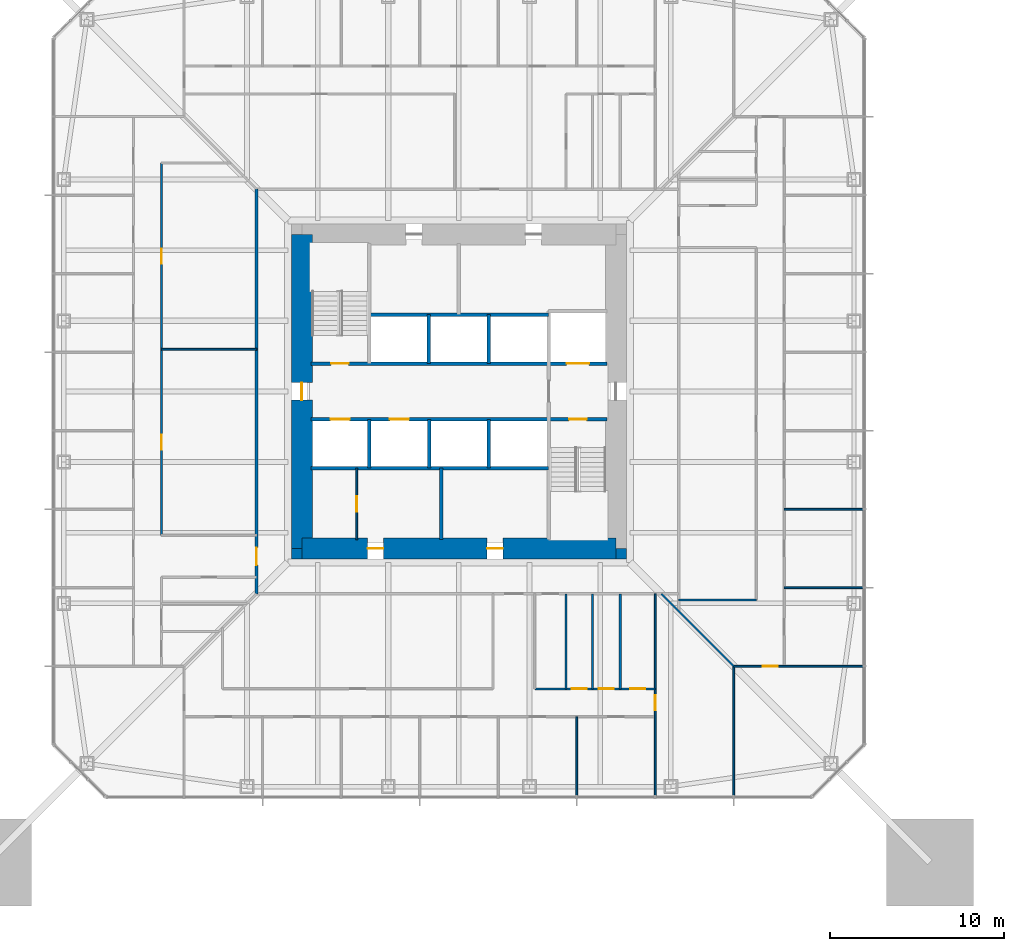
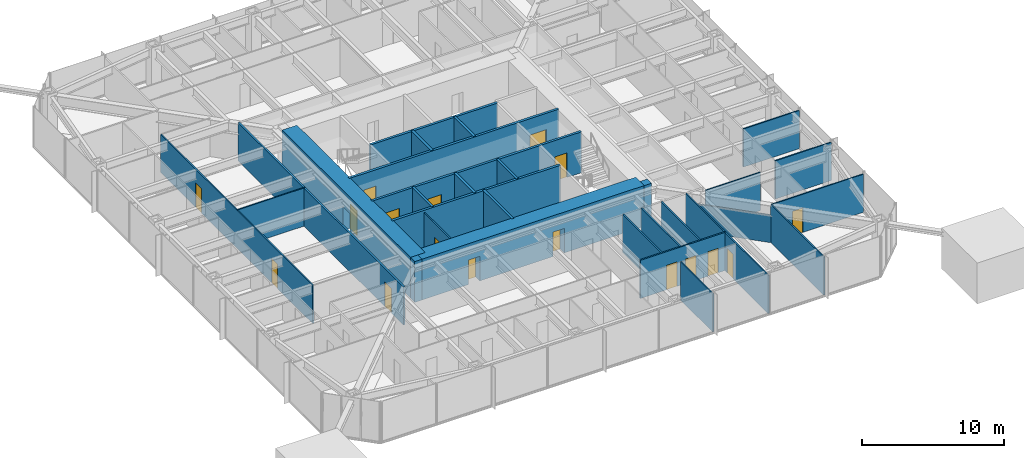
# One storey, part 15 of 26: 30 walls, 17 doors, 17 openings.
"""IFC4 building model written with IfcOpenShell, lengths in metres."""

from ifc_helpers import new_model, si_unit, direction, frame, frame_2d, origin, place, context, subcontext, project, spatial, rectangle, extrude, material, layer, layer_set, type_object, element, fill, save


model = new_model("IFC4")

# Units and contexts
model_context = context("Model", 3, precision=1e-05, world=origin(), true_north=direction((0.0, 1.0)))
body_context = subcontext(model_context, "Body", "Model", "MODEL_VIEW")
ifc_project = project(units=[si_unit("LENGTHUNIT", "METRE"), si_unit("AREAUNIT", "SQUARE_METRE"), si_unit("VOLUMEUNIT", "CUBIC_METRE"), si_unit("PLANEANGLEUNIT", "RADIAN"), si_unit("MASSUNIT", "GRAM", prefix="KILO")], contexts=[model_context])

# Site, building, storey
site_placement = place(None, origin())
site = spatial("IfcSite", under=ifc_project, at=site_placement, CompositionType="ELEMENT")
building_placement = place(site_placement, origin())
building = spatial("IfcBuilding", under=site, at=building_placement, Name="Iwan Alto Co-Living Towers", CompositionType="ELEMENT")
storey_placement = place(building_placement, frame((0.0, 0.0, 32.5)))
storey = spatial("IfcBuildingStorey", under=building, at=storey_placement, Name="L08", CompositionType="ELEMENT", Elevation=32.5)

# Wall, opening, door
ifc_material_1 = material(Name="Gypsum board")
ifc_layer_1 = layer(ifc_material_1, 0.02490234375, Name="Board", Category="Finish")
ifc_material_2 = material(Name="Steel ASTM A1003 ST33H cold-formed studs", Category="steel")
ifc_layer_2 = layer(ifc_material_2, 0.10009765625, Name="Studs", Category="Framing")
ifc_layer_3 = layer(ifc_material_1, 0.02490234375, Name="Board", Category="Finish")
ifc_layer_set_1 = layer_set([ifc_layer_1, ifc_layer_2, ifc_layer_3], Name="CORRIDOR WALL 150")
wall_type_1 = type_object("IfcWallType", Name="CORRIDOR WALL 150", PredefinedType="PARTITIONING", material=ifc_layer_set_1)
wall_1_placement = place(storey_placement, frame((-11.60009765625, -11.60009765625, 0.0), z_axis=(0.0, 0.0, 1.0), x_axis=(0.0, 1.0, 0.0)))
wall_1 = element("IfcWall", 1, at=wall_1_placement, inside=storey, type_object=wall_type_1, Name="Partition L08", PredefinedType="PARTITIONING", context=body_context, shape_type="SweptSolid", body=[
    extrude(rectangle(XDim=23.2001953125, YDim=0.14990234375, at=frame_2d((11.60009765625, 0.0))), origin(), (0.0, 0.0, 1.0), 3.27001953125),
])
opening_1_placement = place(wall_1_placement, frame((1.64990234375, 0.0, 0.0)))
opening_1 = element("IfcOpeningElement", 2, at=opening_1_placement, cuts=wall_1, Name="Opening D3", PredefinedType="OPENING", context=body_context, shape_type="SweptSolid", body=[
    extrude(rectangle(XDim=1.0, YDim=2.10009765625, at=frame_2d((0.5, 1.050048828125))), frame((0.0, 0.0849609375, 0.0), z_axis=(0.0, -1.0, 0.0), x_axis=(1.0, 0.0, 0.0)), (0.0, 0.0, 1.0), 0.169921875),
])
ifc_material_3 = material(Name="Steel frame with timber leaf", Category="steel")
door_type_1 = type_object("IfcDoorType", Name="FLAT ENTRANCE DOOR FD30S 1000X2100", OperationType="SINGLE_SWING_LEFT", PredefinedType="DOOR", material=ifc_material_3)
door_1_placement = place(opening_1_placement, origin())
door_1 = element("IfcDoor", 3, at=door_1_placement, inside=storey, type_object=door_type_1, Name="Cluster lounge and shared kitchen door L08", OperationType="SINGLE_SWING_LEFT", OverallHeight=2.10009765625, OverallWidth=1.0, PredefinedType="DOOR", context=body_context, shape_type="SweptSolid", body=[
    extrude(rectangle(XDim=1.0, YDim=2.10009765625, at=frame_2d((0.5, 1.050048828125))), frame((0.0, 0.02490234375, 0.0), z_axis=(0.0, -1.0, 0.0), x_axis=(1.0, 0.0, 0.0)), (0.0, 0.0, 1.0), 0.050048828125),
])
fill(opening_1, door_1)

ifc_layer_4 = layer(ifc_material_1, 0.012451171875, Name="Board", Category="Finish")
ifc_layer_5 = layer(ifc_material_2, 0.074951171875, Name="Studs", Category="Framing")
ifc_layer_6 = layer(ifc_material_1, 0.012451171875, Name="Board", Category="Finish")
ifc_layer_set_2 = layer_set([ifc_layer_4, ifc_layer_5, ifc_layer_6], Name="PARTITION 100")
wall_type_2 = type_object("IfcWallType", Name="PARTITION 100", PredefinedType="PARTITIONING", material=ifc_layer_set_2)
wall_2_placement = place(storey_placement, frame((15.75, -15.75, 0.0), z_axis=(0.0, 0.0, 1.0), x_axis=(1.0, 0.0, 0.0)))
wall_2 = element("IfcWall", 4, at=wall_2_placement, inside=storey, type_object=wall_type_2, Name="Partition L08", PredefinedType="PARTITIONING", context=body_context, shape_type="SweptSolid", body=[
    extrude(rectangle(XDim=7.43994140625, YDim=0.10009765625, at=frame_2d((3.719970703125, 0.0))), origin(), (0.0, 0.0, 1.0), 3.27001953125),
])
opening_2_placement = place(wall_2_placement, frame((1.675048828125, 0.0, 0.0)))
opening_2 = element("IfcOpeningElement", 5, at=opening_2_placement, cuts=wall_2, Name="Opening D2", PredefinedType="OPENING", context=body_context, shape_type="SweptSolid", body=[
    extrude(rectangle(XDim=0.85009765625, YDim=2.10009765625, at=frame_2d((0.425048828125, 1.050048828125))), frame((0.0, 0.06005859375, 0.0), z_axis=(0.0, -1.0, 0.0), x_axis=(1.0, 0.0, 0.0)), (0.0, 0.0, 1.0), 0.1201171875),
])
ifc_material_4 = material(Name="Timber leaf in steel frame", Category="steel")
door_type_2 = type_object("IfcDoorType", Name="ROOM DOOR 850X2100", OperationType="SINGLE_SWING_LEFT", PredefinedType="DOOR", material=ifc_material_4)
door_2_placement = place(opening_2_placement, origin())
door_2 = element("IfcDoor", 6, at=door_2_placement, inside=storey, type_object=door_type_2, Name="Shared kitchen and lounge door L08", OperationType="SINGLE_SWING_RIGHT", OverallHeight=2.10009765625, OverallWidth=0.85009765625, PredefinedType="DOOR", context=body_context, shape_type="SweptSolid", body=[
    extrude(rectangle(XDim=0.85009765625, YDim=2.10009765625, at=frame_2d((0.425048828125, 1.050048828125))), frame((0.0, 0.02490234375, 0.0), z_axis=(0.0, -1.0, 0.0), x_axis=(1.0, 0.0, 0.0)), (0.0, 0.0, 1.0), 0.050048828125),
])
fill(opening_2, door_2)

# Walls
wall_3_placement = place(storey_placement, frame((12.60009765625, -11.949951171875, 0.0), z_axis=(0.0, 0.0, 1.0), x_axis=(1.0, 0.0, 0.0)))
element("IfcWall", 7, at=wall_3_placement, inside=storey, type_object=wall_type_2, Name="Partition L08", PredefinedType="PARTITIONING", context=body_context, shape_type="SweptSolid", body=[
    extrude(rectangle(XDim=4.449951171875, YDim=0.10009765625, at=frame_2d((2.22509765625, 0.0))), origin(), (0.0, 0.0, 1.0), 3.27001953125),
])
for number, where, z_axis, x_axis, name in (
    (8, (18.64990234375, -11.25, 0.0), (0.0, 0.0, 1.0), (1.0, 0.0, 0.0), "Partition L08"),
    (9, (18.64990234375, -6.75, 0.0), (0.0, 0.0, 1.0), (1.0, 0.0, 0.0), "Partition L08"),
):
    element("IfcWall", number, at=place(storey_placement, frame(where, z_axis=z_axis, x_axis=x_axis)), inside=storey, type_object=wall_type_2, Name=name, PredefinedType="PARTITIONING", context=body_context, shape_type="SweptSolid", body=[
        extrude(rectangle(XDim=4.5400390625, YDim=0.10009765625, at=frame_2d((2.27001953125, 0.0))), origin(), (0.0, 0.0, 1.0), 3.27001953125),
    ])
wall_4_placement = place(storey_placement, frame((-17.050048828125, 2.419921875, 0.0), z_axis=(0.0, 0.0, 1.0), x_axis=(1.0, 0.0, 0.0)))
element("IfcWall", 10, at=wall_4_placement, inside=storey, type_object=wall_type_2, Name="Partition L08", PredefinedType="PARTITIONING", context=body_context, shape_type="SweptSolid", body=[
    extrude(rectangle(XDim=5.449951171875, YDim=0.10009765625, at=frame_2d((2.72509765625, 0.0))), origin(), (0.0, 0.0, 1.0), 3.27001953125),
])
wall_5_placement = place(storey_placement, frame((15.75, -23.18994140625, 0.0), z_axis=(0.0, 0.0, 1.0), x_axis=(0.0, 1.0, 0.0)))
element("IfcWall", 11, at=wall_5_placement, inside=storey, type_object=wall_type_2, Name="Partition L08", PredefinedType="PARTITIONING", context=body_context, shape_type="SweptSolid", body=[
    extrude(rectangle(XDim=7.43994140625, YDim=0.10009765625, at=frame_2d((3.719970703125, 0.0))), origin(), (0.0, 0.0, 1.0), 3.27001953125),
])

# Wall, opening, door
wall_6_placement = place(storey_placement, frame((11.25, -23.18994140625, 0.0), z_axis=(0.0, 0.0, 1.0), x_axis=(0.0, 1.0, 0.0)))
wall_6 = element("IfcWall", 12, at=wall_6_placement, inside=storey, type_object=wall_type_2, Name="Partition L08", PredefinedType="PARTITIONING", context=body_context, shape_type="SweptSolid", body=[
    extrude(rectangle(XDim=11.58984375, YDim=0.10009765625, at=frame_2d((5.794921875, 0.0))), origin(), (0.0, 0.0, 1.0), 3.27001953125),
])
opening_3_placement = place(wall_6_placement, frame((4.9150390625, 0.0, 0.0)))
opening_3 = element("IfcOpeningElement", 13, at=opening_3_placement, cuts=wall_6, Name="Opening D2", PredefinedType="OPENING", context=body_context, shape_type="SweptSolid", body=[
    extrude(rectangle(XDim=0.85009765625, YDim=2.10009765625, at=frame_2d((0.425048828125, 1.050048828125))), frame((0.0, 0.06005859375, 0.0), z_axis=(0.0, -1.0, 0.0), x_axis=(1.0, 0.0, 0.0)), (0.0, 0.0, 1.0), 0.1201171875),
])
door_3_placement = place(opening_3_placement, origin())
door_3 = element("IfcDoor", 14, at=door_3_placement, inside=storey, type_object=door_type_2, Name="Seminar room door L08", OperationType="SINGLE_SWING_LEFT", OverallHeight=2.10009765625, OverallWidth=0.85009765625, PredefinedType="DOOR", context=body_context, shape_type="SweptSolid", body=[
    extrude(rectangle(XDim=0.85009765625, YDim=2.10009765625, at=frame_2d((0.425048828125, 1.050048828125))), frame((0.0, 0.02490234375, 0.0), z_axis=(0.0, -1.0, 0.0), x_axis=(1.0, 0.0, 0.0)), (0.0, 0.0, 1.0), 0.050048828125),
])
fill(opening_3, door_3)

# Wall
wall_7_placement = place(storey_placement, frame((6.75, -23.18994140625, 0.0), z_axis=(0.0, 0.0, 1.0), x_axis=(0.0, 1.0, 0.0)))
element("IfcWall", 15, at=wall_7_placement, inside=storey, type_object=wall_type_2, Name="Partition L08", PredefinedType="PARTITIONING", context=body_context, shape_type="SweptSolid", body=[
    extrude(rectangle(XDim=4.5400390625, YDim=0.10009765625, at=frame_2d((2.27001953125, 0.0))), origin(), (0.0, 0.0, 1.0), 3.27001953125),
])

# Wall, opening, door
wall_8_placement = place(storey_placement, frame((-5.85009765625, -8.489990234375, 0.0), z_axis=(0.0, 0.0, 1.0), x_axis=(0.0, 1.0, 0.0)))
wall_8 = element("IfcWall", 16, at=wall_8_placement, inside=storey, type_object=wall_type_2, Name="Partition L08", PredefinedType="PARTITIONING", context=body_context, shape_type="SweptSolid", body=[
    extrude(rectangle(XDim=4.090087890625, YDim=0.10009765625, at=frame_2d((2.044921875, 0.0))), origin(), (0.0, 0.0, 1.0), 3.300048828125),
])
opening_4_placement = place(wall_8_placement, frame((1.594970703125, 0.0, 0.0)))
opening_4 = element("IfcOpeningElement", 17, at=opening_4_placement, cuts=wall_8, Name="Opening D16", PredefinedType="OPENING", context=body_context, shape_type="SweptSolid", body=[
    extrude(rectangle(XDim=0.89990234375, YDim=2.10009765625, at=frame_2d((0.449951171875, 1.050048828125))), frame((0.0, 0.06005859375, 0.0), z_axis=(0.0, -1.0, 0.0), x_axis=(1.0, 0.0, 0.0)), (0.0, 0.0, 1.0), 0.1201171875),
])
ifc_material_5 = material(Name="Timber leaf in steel frame", Category="steel")
door_type_3 = type_object("IfcDoorType", Name="CUPBOARD SLIDING DOOR 900X2100", OperationType="SLIDING_TO_LEFT", PredefinedType="DOOR", material=ifc_material_5)
door_4_placement = place(opening_4_placement, origin())
door_4 = element("IfcDoor", 18, at=door_4_placement, inside=storey, type_object=door_type_3, Name="Cleaner's store door L08", OperationType="SLIDING_TO_LEFT", OverallHeight=2.10009765625, OverallWidth=0.89990234375, PredefinedType="DOOR", context=body_context, shape_type="SweptSolid", body=[
    extrude(rectangle(XDim=0.89990234375, YDim=2.10009765625, at=frame_2d((0.449951171875, 1.050048828125))), frame((0.0, 0.02490234375, 0.0), z_axis=(0.0, -1.0, 0.0), x_axis=(1.0, 0.0, 0.0)), (0.0, 0.0, 1.0), 0.050048828125),
])
fill(opening_4, door_4)

# Wall, openings, doors
wall_9_placement = place(storey_placement, frame((-17.050048828125, -8.25, 0.0), z_axis=(0.0, 0.0, 1.0), x_axis=(0.0, 1.0, 0.0)))
wall_9 = element("IfcWall", 19, at=wall_9_placement, inside=storey, type_object=wall_type_2, Name="Partition L08", PredefinedType="PARTITIONING", context=body_context, shape_type="SweptSolid", body=[
    extrude(rectangle(XDim=21.340087890625, YDim=0.10009765625, at=frame_2d((10.669921875, 0.0))), origin(), (0.0, 0.0, 1.0), 3.27001953125),
])
opening_5_placement = place(wall_9_placement, frame((15.580078125, 0.0, 0.0)))
opening_5 = element("IfcOpeningElement", 20, at=opening_5_placement, cuts=wall_9, Name="Opening D2", PredefinedType="OPENING", context=body_context, shape_type="SweptSolid", body=[
    extrude(rectangle(XDim=0.85009765625, YDim=2.10009765625, at=frame_2d((0.425048828125, 1.050048828125))), frame((0.0, 0.06005859375, 0.0), z_axis=(0.0, -1.0, 0.0), x_axis=(1.0, 0.0, 0.0)), (0.0, 0.0, 1.0), 0.1201171875),
])
opening_6_placement = place(wall_9_placement, frame((4.909912109375, 0.0, 0.0)))
opening_6 = element("IfcOpeningElement", 21, at=opening_6_placement, cuts=wall_9, Name="Opening D2", PredefinedType="OPENING", context=body_context, shape_type="SweptSolid", body=[
    extrude(rectangle(XDim=0.85009765625, YDim=2.10009765625, at=frame_2d((0.425048828125, 1.050048828125))), frame((0.0, 0.06005859375, 0.0), z_axis=(0.0, -1.0, 0.0), x_axis=(1.0, 0.0, 0.0)), (0.0, 0.0, 1.0), 0.1201171875),
])
door_5_placement = place(opening_5_placement, origin())
door_5 = element("IfcDoor", 22, at=door_5_placement, inside=storey, type_object=door_type_2, Name="Study lounge door L08", OperationType="SINGLE_SWING_RIGHT", OverallHeight=2.10009765625, OverallWidth=0.85009765625, PredefinedType="DOOR", context=body_context, shape_type="SweptSolid", body=[
    extrude(rectangle(XDim=0.85009765625, YDim=2.10009765625, at=frame_2d((0.425048828125, 1.050048828125))), frame((0.0, 0.02490234375, 0.0), z_axis=(0.0, -1.0, 0.0), x_axis=(1.0, 0.0, 0.0)), (0.0, 0.0, 1.0), 0.050048828125),
])
fill(opening_5, door_5)
door_6_placement = place(opening_6_placement, origin())
door_6 = element("IfcDoor", 23, at=door_6_placement, inside=storey, type_object=door_type_2, Name="Study lounge door L08", OperationType="SINGLE_SWING_LEFT", OverallHeight=2.10009765625, OverallWidth=0.85009765625, PredefinedType="DOOR", context=body_context, shape_type="SweptSolid", body=[
    extrude(rectangle(XDim=0.85009765625, YDim=2.10009765625, at=frame_2d((0.425048828125, 1.050048828125))), frame((0.0, 0.02490234375, 0.0), z_axis=(0.0, -1.0, 0.0), x_axis=(1.0, 0.0, 0.0)), (0.0, 0.0, 1.0), 0.050048828125),
])
fill(opening_6, door_6)

# Walls
wall_10_placement = place(storey_placement, frame((15.75, -15.75, 0.0), z_axis=(0.0, 0.0, 1.0), x_axis=(-0.707106781187, 0.707106781187, 0.0)))
element("IfcWall", 24, at=wall_10_placement, inside=storey, type_object=wall_type_2, Name="Partition L08", PredefinedType="PARTITIONING", context=body_context, shape_type="SweptSolid", body=[
    extrude(rectangle(XDim=5.868896484375, YDim=0.10009765625, at=frame_2d((2.9345703125, 0.0))), origin(), (0.0, 0.0, 1.0), 2.343017578125),
])
ifc_material_6 = material(Name="Concrete f'c 70 MPa", Category="concrete")
ifc_layer_7 = layer(ifc_material_6, 0.199951171875)
ifc_layer_set_3 = layer_set([ifc_layer_7], Name="SHAFT WALL 200")
wall_type_3 = type_object("IfcWallType", Name="SHAFT WALL 200", PredefinedType="SOLIDWALL", material=ifc_layer_set_3)
wall_11_placement = place(storey_placement, frame((-8.489990234375, -4.39990234375, 0.0), z_axis=(0.0, 0.0, 1.0), x_axis=(1.0, 0.0, 0.0)))
element("IfcWall", 25, at=wall_11_placement, inside=storey, type_object=wall_type_3, Name="Shaft wall L08", PredefinedType="SOLIDWALL", context=body_context, shape_type="SweptSolid", body=[
    extrude(rectangle(XDim=13.639892578125, YDim=0.199951171875, at=frame_2d((6.81982421875, 0.0))), origin(), (0.0, 0.0, 1.0), 3.5),
])

# Wall, openings, doors
wall_12_placement = place(storey_placement, frame((-8.489990234375, -1.60009765625, 0.0), z_axis=(0.0, 0.0, 1.0), x_axis=(1.0, 0.0, 0.0)))
wall_12 = element("IfcWall", 26, at=wall_12_placement, inside=storey, type_object=wall_type_3, Name="Shaft wall L08", PredefinedType="SOLIDWALL", context=body_context, shape_type="SweptSolid", body=[
    extrude(rectangle(XDim=16.97998046875, YDim=0.199951171875, at=frame_2d((8.489990234375, 0.0))), origin(), (0.0, 0.0, 1.0), 3.5),
])
opening_7_placement = place(wall_12_placement, frame((14.81005859375, 0.0, 0.0)))
opening_7 = element("IfcOpeningElement", 27, at=opening_7_placement, cuts=wall_12, Name="Opening D5", PredefinedType="OPENING", context=body_context, shape_type="SweptSolid", body=[
    extrude(rectangle(XDim=1.0, YDim=2.10009765625, at=frame_2d((0.5, 1.050048828125))), frame((0.0, 0.10986328125, 0.0), z_axis=(0.0, -1.0, 0.0), x_axis=(1.0, 0.0, 0.0)), (0.0, 0.0, 1.0), 0.219970703125),
])
opening_8_placement = place(wall_12_placement, frame((1.133056640625, 0.0, 0.0)))
opening_8 = element("IfcOpeningElement", 28, at=opening_8_placement, cuts=wall_12, Name="Opening LD", PredefinedType="OPENING", context=body_context, shape_type="SweptSolid", body=[
    extrude(rectangle(XDim=1.10009765625, YDim=2.10009765625, at=frame_2d((0.550048828125, 1.050048828125))), frame((0.0, 0.10986328125, 0.0), z_axis=(0.0, -1.0, 0.0), x_axis=(1.0, 0.0, 0.0)), (0.0, 0.0, 1.0), 0.219970703125),
])
opening_9_placement = place(wall_12_placement, frame((4.528076171875, 0.0, 0.0)))
opening_9 = element("IfcOpeningElement", 29, at=opening_9_placement, cuts=wall_12, Name="Opening LD", PredefinedType="OPENING", context=body_context, shape_type="SweptSolid", body=[
    extrude(rectangle(XDim=1.10009765625, YDim=2.10009765625, at=frame_2d((0.550048828125, 1.050048828125))), frame((0.0, 0.10986328125, 0.0), z_axis=(0.0, -1.0, 0.0), x_axis=(1.0, 0.0, 0.0)), (0.0, 0.0, 1.0), 0.219970703125),
])
ifc_material_7 = material(Name="Steel frame with timber leaf", Category="steel")
door_type_4 = type_object("IfcDoorType", Name="LIFT LANDING DOOR 1100X2100", OperationType="DOUBLE_DOOR_SLIDING", PredefinedType="DOOR", material=ifc_material_7)
door_7_placement = place(opening_8_placement, origin())
door_7 = element("IfcDoor", 30, at=door_7_placement, inside=storey, type_object=door_type_4, Name="Lift P1-1 landing door L08", OperationType="DOUBLE_DOOR_SLIDING", OverallHeight=2.10009765625, OverallWidth=1.10009765625, PredefinedType="DOOR", context=body_context, shape_type="SweptSolid", body=[
    extrude(rectangle(XDim=1.10009765625, YDim=2.10009765625, at=frame_2d((0.550048828125, 1.050048828125))), frame((0.0, 0.02490234375, 0.0), z_axis=(0.0, -1.0, 0.0), x_axis=(1.0, 0.0, 0.0)), (0.0, 0.0, 1.0), 0.050048828125),
])
fill(opening_8, door_7)
door_8_placement = place(opening_9_placement, origin())
door_8 = element("IfcDoor", 31, at=door_8_placement, inside=storey, type_object=door_type_4, Name="Lift P1-2 landing door L08", OperationType="DOUBLE_DOOR_SLIDING", OverallHeight=2.10009765625, OverallWidth=1.10009765625, PredefinedType="DOOR", context=body_context, shape_type="SweptSolid", body=[
    extrude(rectangle(XDim=1.10009765625, YDim=2.10009765625, at=frame_2d((0.550048828125, 1.050048828125))), frame((0.0, 0.02490234375, 0.0), z_axis=(0.0, -1.0, 0.0), x_axis=(1.0, 0.0, 0.0)), (0.0, 0.0, 1.0), 0.050048828125),
])
fill(opening_9, door_8)
ifc_material_8 = material(Name="Steel frame with timber leaf", Category="steel")
door_type_5 = type_object("IfcDoorType", Name="STAIR DOOR FD120S 1000X2100", OperationType="SINGLE_SWING_LEFT", PredefinedType="DOOR", material=ifc_material_8)
door_9_placement = place(opening_7_placement, frame((1.0, 0.0, 0.0), z_axis=(0.0, 0.0, 1.0), x_axis=(-1.0, 0.0, 0.0)))
door_9 = element("IfcDoor", 32, at=door_9_placement, inside=storey, type_object=door_type_5, Name="Stair S2 door L08", OperationType="SINGLE_SWING_RIGHT", OverallHeight=2.10009765625, OverallWidth=1.0, PredefinedType="DOOR", context=body_context, shape_type="SweptSolid", body=[
    extrude(rectangle(XDim=1.0, YDim=2.10009765625, at=frame_2d((0.5, 1.050048828125))), frame((0.0, 0.02490234375, 0.0), z_axis=(0.0, -1.0, 0.0), x_axis=(1.0, 0.0, 0.0)), (0.0, 0.0, 1.0), 0.050048828125),
])
fill(opening_7, door_9)

wall_13_placement = place(storey_placement, frame((-8.489990234375, 1.60009765625, 0.0), z_axis=(0.0, 0.0, 1.0), x_axis=(1.0, 0.0, 0.0)))
wall_13 = element("IfcWall", 33, at=wall_13_placement, inside=storey, type_object=wall_type_3, Name="Shaft wall L08", PredefinedType="SOLIDWALL", context=body_context, shape_type="SweptSolid", body=[
    extrude(rectangle(XDim=16.97998046875, YDim=0.199951171875, at=frame_2d((8.489990234375, 0.0))), origin(), (0.0, 0.0, 1.0), 3.5),
])
opening_10_placement = place(wall_13_placement, frame((1.169921875, 0.0, 0.0)))
opening_10 = element("IfcOpeningElement", 34, at=opening_10_placement, cuts=wall_13, Name="Opening D5", PredefinedType="OPENING", context=body_context, shape_type="SweptSolid", body=[
    extrude(rectangle(XDim=1.0, YDim=2.10009765625, at=frame_2d((0.5, 1.050048828125))), frame((0.0, 0.10986328125, 0.0), z_axis=(0.0, -1.0, 0.0), x_axis=(1.0, 0.0, 0.0)), (0.0, 0.0, 1.0), 0.219970703125),
])
opening_11_placement = place(wall_13_placement, frame((14.659912109375, 0.0, 0.0)))
opening_11 = element("IfcOpeningElement", 35, at=opening_11_placement, cuts=wall_13, Name="Opening LD2", PredefinedType="OPENING", context=body_context, shape_type="SweptSolid", body=[
    extrude(rectangle(XDim=1.300048828125, YDim=2.10009765625, at=frame_2d((0.64990234375, 1.050048828125))), frame((0.0, 0.10986328125, 0.0), z_axis=(0.0, -1.0, 0.0), x_axis=(1.0, 0.0, 0.0)), (0.0, 0.0, 1.0), 0.219970703125),
])
ifc_material_9 = material(Name="Steel frame with timber leaf", Category="steel")
door_type_6 = type_object("IfcDoorType", Name="LIFT LANDING DOOR 1300X2100", OperationType="SLIDING_TO_LEFT", PredefinedType="DOOR", material=ifc_material_9)
door_10_placement = place(opening_11_placement, origin())
door_10 = element("IfcDoor", 36, at=door_10_placement, inside=storey, type_object=door_type_6, Name="Lift FL1 landing door L08", OperationType="SLIDING_TO_LEFT", OverallHeight=2.10009765625, OverallWidth=1.300048828125, PredefinedType="DOOR", context=body_context, shape_type="SweptSolid", body=[
    extrude(rectangle(XDim=1.300048828125, YDim=2.10009765625, at=frame_2d((0.64990234375, 1.050048828125))), frame((0.0, 0.02490234375, 0.0), z_axis=(0.0, -1.0, 0.0), x_axis=(1.0, 0.0, 0.0)), (0.0, 0.0, 1.0), 0.050048828125),
])
fill(opening_11, door_10)
door_11_placement = place(opening_10_placement, origin())
door_11 = element("IfcDoor", 37, at=door_11_placement, inside=storey, type_object=door_type_5, Name="Stair S1 door L08", OperationType="SINGLE_SWING_RIGHT", OverallHeight=2.10009765625, OverallWidth=1.0, PredefinedType="DOOR", context=body_context, shape_type="SweptSolid", body=[
    extrude(rectangle(XDim=1.0, YDim=2.10009765625, at=frame_2d((0.5, 1.050048828125))), frame((0.0, 0.02490234375, 0.0), z_axis=(0.0, -1.0, 0.0), x_axis=(1.0, 0.0, 0.0)), (0.0, 0.0, 1.0), 0.050048828125),
])
fill(opening_10, door_11)

# Walls
wall_14_placement = place(storey_placement, frame((-5.14990234375, 4.39990234375, 0.0), z_axis=(0.0, 0.0, 1.0), x_axis=(1.0, 0.0, 0.0)))
element("IfcWall", 38, at=wall_14_placement, inside=storey, type_object=wall_type_3, Name="Shaft wall L08", PredefinedType="SOLIDWALL", context=body_context, shape_type="SweptSolid", body=[
    extrude(rectangle(XDim=10.2998046875, YDim=0.199951171875, at=frame_2d((5.14990234375, 0.0))), origin(), (0.0, 0.0, 1.0), 3.5),
])
for number, where, z_axis, x_axis, name in (
    (39, (1.72509765625, -4.39990234375, 0.0), (0.0, 0.0, 1.0), (0.0, 1.0, 0.0), "Shaft wall L08"),
    (40, (1.717041015625, 1.60009765625, 0.0), (0.0, 0.0, 1.0), (0.0, 1.0, 0.0), "Shaft wall L08"),
):
    element("IfcWall", number, at=place(storey_placement, frame(where, z_axis=z_axis, x_axis=x_axis)), inside=storey, type_object=wall_type_3, Name=name, PredefinedType="SOLIDWALL", context=body_context, shape_type="SweptSolid", body=[
        extrude(rectangle(XDim=2.7998046875, YDim=0.199951171875, at=frame_2d((1.39990234375, 0.0))), origin(), (0.0, 0.0, 1.0), 3.5),
    ])
wall_15_placement = place(storey_placement, frame((-1.0, -8.489990234375, 0.0), z_axis=(0.0, 0.0, 1.0), x_axis=(0.0, 1.0, 0.0)))
element("IfcWall", 41, at=wall_15_placement, inside=storey, type_object=wall_type_3, Name="Shaft wall L08", PredefinedType="SOLIDWALL", context=body_context, shape_type="SweptSolid", body=[
    extrude(rectangle(XDim=4.090087890625, YDim=0.199951171875, at=frame_2d((2.044921875, 0.0))), origin(), (0.0, 0.0, 1.0), 3.5),
])
for number, where, z_axis, x_axis, name in (
    (42, (-1.699951171875, -4.39990234375, 0.0), (0.0, 0.0, 1.0), (0.0, 1.0, 0.0), "Shaft wall L08"),
    (43, (-1.717041015625, 1.60009765625, 0.0), (0.0, 0.0, 1.0), (0.0, 1.0, 0.0), "Shaft wall L08"),
    (44, (-5.125, -4.39990234375, 0.0), (0.0, 0.0, 1.0), (0.0, 1.0, 0.0), "Shaft wall L08"),
):
    element("IfcWall", number, at=place(storey_placement, frame(where, z_axis=z_axis, x_axis=x_axis)), inside=storey, type_object=wall_type_3, Name=name, PredefinedType="SOLIDWALL", context=body_context, shape_type="SweptSolid", body=[
        extrude(rectangle(XDim=2.7998046875, YDim=0.199951171875, at=frame_2d((1.39990234375, 0.0))), origin(), (0.0, 0.0, 1.0), 3.5),
    ])
ifc_material_10 = material(Name="Concrete f'c 70 MPa", Category="concrete")
ifc_layer_8 = layer(ifc_material_10, 0.60009765625)
ifc_layer_set_4 = layer_set([ifc_layer_8], Name="T1 CORE CORNER FILL 600")
wall_type_4 = type_object("IfcWallType", Name="T1 CORE CORNER FILL 600", PredefinedType="SOLIDWALL", material=ifc_layer_set_4)
for number, where, z_axis, x_axis, name in (
    (45, (-9.60009765625, -9.300048828125, 0.0), (0.0, 0.0, 1.0), (1.0, 0.0, 0.0), "T1 core corner SW L08"),
    (46, (9.0, -9.300048828125, 0.0), (0.0, 0.0, 1.0), (1.0, 0.0, 0.0), "T1 core corner SE L08"),
):
    element("IfcWall", number, at=place(storey_placement, frame(where, z_axis=z_axis, x_axis=x_axis)), inside=storey, type_object=wall_type_4, Name=name, PredefinedType="SOLIDWALL", context=body_context, shape_type="SweptSolid", body=[
        extrude(rectangle(XDim=0.60009765625, YDim=0.60009765625, at=frame_2d((0.300048828125, 0.0))), origin(), (0.0, 0.0, 1.0), 3.5),
    ])

# Wall, openings, doors
ifc_material_11 = material(Name="Concrete f'c 70 MPa", Category="concrete")
ifc_layer_9 = layer(ifc_material_11, 1.199951171875)
ifc_layer_set_5 = layer_set([ifc_layer_9], Name="T1 CORE WALL 1200")
wall_type_5 = type_object("IfcWallType", Name="T1 CORE WALL 1200", PredefinedType="SHEAR", material=ifc_layer_set_5)
wall_16_placement = place(storey_placement, frame((-9.0, -9.0, 0.0), z_axis=(0.0, 0.0, 1.0), x_axis=(1.0, 0.0, 0.0)))
wall_16 = element("IfcWall", 47, at=wall_16_placement, inside=storey, type_object=wall_type_5, Name="T1 core wall S L08", PredefinedType="SHEAR", context=body_context, shape_type="SweptSolid", body=[
    extrude(rectangle(XDim=18.0, YDim=1.199951171875, at=frame_2d((9.0, 0.0))), origin(), (0.0, 0.0, 1.0), 3.5),
])
opening_12_placement = place(wall_16_placement, frame((3.77490234375, 0.0, 0.0)))
opening_12 = element("IfcOpeningElement", 48, at=opening_12_placement, cuts=wall_16, Name="Opening D8", PredefinedType="OPENING", context=body_context, shape_type="SweptSolid", body=[
    extrude(rectangle(XDim=0.89990234375, YDim=2.10009765625, at=frame_2d((0.449951171875, 1.050048828125))), frame((0.0, 0.60986328125, 0.0), z_axis=(0.0, -1.0, 0.0), x_axis=(1.0, 0.0, 0.0)), (0.0, 0.0, 1.0), 1.219970703125),
])
opening_13_placement = place(wall_16_placement, frame((10.625, 0.0, 0.0)))
opening_13 = element("IfcOpeningElement", 49, at=opening_13_placement, cuts=wall_16, Name="Opening D8", PredefinedType="OPENING", context=body_context, shape_type="SweptSolid", body=[
    extrude(rectangle(XDim=0.89990234375, YDim=2.10009765625, at=frame_2d((0.449951171875, 1.050048828125))), frame((0.0, 0.60986328125, 0.0), z_axis=(0.0, -1.0, 0.0), x_axis=(1.0, 0.0, 0.0)), (0.0, 0.0, 1.0), 1.219970703125),
])
ifc_material_12 = material(Name="Steel frame with timber leaf", Category="steel")
door_type_7 = type_object("IfcDoorType", Name="RISER DOOR FD120 900X2100", OperationType="SINGLE_SWING_LEFT", PredefinedType="DOOR", material=ifc_material_12)
door_12_placement = place(opening_12_placement, origin())
door_12 = element("IfcDoor", 50, at=door_12_placement, inside=storey, type_object=door_type_7, Name="Refuse room core door L08", OperationType="SINGLE_SWING_LEFT", OverallHeight=2.10009765625, OverallWidth=0.89990234375, PredefinedType="DOOR", context=body_context, shape_type="SweptSolid", body=[
    extrude(rectangle(XDim=0.89990234375, YDim=2.10009765625, at=frame_2d((0.449951171875, 1.050048828125))), frame((0.0, 0.02490234375, 0.0), z_axis=(0.0, -1.0, 0.0), x_axis=(1.0, 0.0, 0.0)), (0.0, 0.0, 1.0), 0.050048828125),
])
fill(opening_12, door_12)
door_13_placement = place(opening_13_placement, origin())
door_13 = element("IfcDoor", 51, at=door_13_placement, inside=storey, type_object=door_type_7, Name="Telecom riser core door L08", OperationType="SINGLE_SWING_LEFT", OverallHeight=2.10009765625, OverallWidth=0.89990234375, PredefinedType="DOOR", context=body_context, shape_type="SweptSolid", body=[
    extrude(rectangle(XDim=0.89990234375, YDim=2.10009765625, at=frame_2d((0.449951171875, 1.050048828125))), frame((0.0, 0.02490234375, 0.0), z_axis=(0.0, -1.0, 0.0), x_axis=(1.0, 0.0, 0.0)), (0.0, 0.0, 1.0), 0.050048828125),
])
fill(opening_13, door_13)

# Wall, opening, door
wall_17_placement = place(storey_placement, frame((-9.0, 9.0, 0.0), z_axis=(0.0, 0.0, 1.0), x_axis=(0.0, -1.0, 0.0)))
wall_17 = element("IfcWall", 52, at=wall_17_placement, inside=storey, type_object=wall_type_5, Name="T1 core wall W L08", PredefinedType="SHEAR", context=body_context, shape_type="SweptSolid", body=[
    extrude(rectangle(XDim=18.0, YDim=1.199951171875, at=frame_2d((9.0, 0.0))), origin(), (0.0, 0.0, 1.0), 3.5),
])
opening_14_placement = place(wall_17_placement, frame((8.5, 0.0, 0.0)))
opening_14 = element("IfcOpeningElement", 53, at=opening_14_placement, cuts=wall_17, Name="Opening D7", PredefinedType="OPENING", context=body_context, shape_type="SweptSolid", body=[
    extrude(rectangle(XDim=1.0, YDim=2.10009765625, at=frame_2d((0.5, 1.050048828125))), frame((0.0, 0.60986328125, 0.0), z_axis=(0.0, -1.0, 0.0), x_axis=(1.0, 0.0, 0.0)), (0.0, 0.0, 1.0), 1.219970703125),
])
ifc_material_13 = material(Name="Steel frame with timber leaf", Category="steel")
door_type_8 = type_object("IfcDoorType", Name="CORE DOOR FD120S 1000X2100", OperationType="SINGLE_SWING_LEFT", PredefinedType="DOOR", material=ifc_material_13)
door_14_placement = place(opening_14_placement, origin())
door_14 = element("IfcDoor", 54, at=door_14_placement, inside=storey, type_object=door_type_8, Name="Lift lobby core door L08", OperationType="SINGLE_SWING_RIGHT", OverallHeight=2.10009765625, OverallWidth=1.0, PredefinedType="DOOR", context=body_context, shape_type="SweptSolid", body=[
    extrude(rectangle(XDim=1.0, YDim=2.10009765625, at=frame_2d((0.5, 1.050048828125))), frame((0.0, 0.02490234375, 0.0), z_axis=(0.0, -1.0, 0.0), x_axis=(1.0, 0.0, 0.0)), (0.0, 0.0, 1.0), 0.050048828125),
])
fill(opening_14, door_14)

# Wall, openings, doors
ifc_material_14 = material(Name="Cement board")
ifc_layer_10 = layer(ifc_material_14, 0.012451171875, Name="Board", Category="Finish")
ifc_layer_11 = layer(ifc_material_2, 0.094970703125, Name="Studs", Category="Framing")
ifc_layer_12 = layer(ifc_material_14, 0.012451171875, Name="Board", Category="Finish")
ifc_layer_set_6 = layer_set([ifc_layer_10, ifc_layer_11, ifc_layer_12], Name="WET AREA PARTITION 120")
wall_type_6 = type_object("IfcWallType", Name="WET AREA PARTITION 120", PredefinedType="PARTITIONING", material=ifc_layer_set_6)
wall_18_placement = place(storey_placement, frame((4.35009765625, -17.050048828125, 0.0), z_axis=(0.0, 0.0, 1.0), x_axis=(1.0, 0.0, 0.0)))
wall_18 = element("IfcWall", 55, at=wall_18_placement, inside=storey, type_object=wall_type_6, Name="Partition L08", PredefinedType="PARTITIONING", context=body_context, shape_type="SweptSolid", body=[
    extrude(rectangle(XDim=6.89990234375, YDim=0.1201171875, at=frame_2d((3.449951171875, 0.0))), origin(), (0.0, 0.0, 1.0), 3.27001953125),
])
opening_15_placement = place(wall_18_placement, frame((2.125, 0.0, 0.0)))
opening_15 = element("IfcOpeningElement", 56, at=opening_15_placement, cuts=wall_18, Name="Opening D2", PredefinedType="OPENING", context=body_context, shape_type="SweptSolid", body=[
    extrude(rectangle(XDim=0.85009765625, YDim=2.10009765625, at=frame_2d((0.425048828125, 1.050048828125))), frame((0.0, 0.070068359375, 0.0), z_axis=(0.0, -1.0, 0.0), x_axis=(1.0, 0.0, 0.0)), (0.0, 0.0, 1.0), 0.14013671875),
])
opening_16_placement = place(wall_18_placement, frame((3.675048828125, 0.0, 0.0)))
opening_16 = element("IfcOpeningElement", 57, at=opening_16_placement, cuts=wall_18, Name="Opening D2", PredefinedType="OPENING", context=body_context, shape_type="SweptSolid", body=[
    extrude(rectangle(XDim=0.85009765625, YDim=2.10009765625, at=frame_2d((0.425048828125, 1.050048828125))), frame((0.0, 0.070068359375, 0.0), z_axis=(0.0, -1.0, 0.0), x_axis=(1.0, 0.0, 0.0)), (0.0, 0.0, 1.0), 0.14013671875),
])
opening_17_placement = place(wall_18_placement, frame((5.47509765625, 0.0, 0.0)))
opening_17 = element("IfcOpeningElement", 58, at=opening_17_placement, cuts=wall_18, Name="Opening D2", PredefinedType="OPENING", context=body_context, shape_type="SweptSolid", body=[
    extrude(rectangle(XDim=0.85009765625, YDim=2.10009765625, at=frame_2d((0.425048828125, 1.050048828125))), frame((0.0, 0.070068359375, 0.0), z_axis=(0.0, -1.0, 0.0), x_axis=(1.0, 0.0, 0.0)), (0.0, 0.0, 1.0), 0.14013671875),
])
door_15_placement = place(opening_15_placement, frame((0.85009765625, 0.0, 0.0), z_axis=(0.0, 0.0, 1.0), x_axis=(-1.0, 0.0, 0.0)))
door_15 = element("IfcDoor", 59, at=door_15_placement, inside=storey, type_object=door_type_2, Name="Bathroom door L08", OperationType="SINGLE_SWING_LEFT", OverallHeight=2.10009765625, OverallWidth=0.85009765625, PredefinedType="DOOR", context=body_context, shape_type="SweptSolid", body=[
    extrude(rectangle(XDim=0.85009765625, YDim=2.10009765625, at=frame_2d((0.425048828125, 1.050048828125))), frame((0.0, 0.02490234375, 0.0), z_axis=(0.0, -1.0, 0.0), x_axis=(1.0, 0.0, 0.0)), (0.0, 0.0, 1.0), 0.050048828125),
])
fill(opening_15, door_15)
door_16_placement = place(opening_16_placement, frame((0.85009765625, 0.0, 0.0), z_axis=(0.0, 0.0, 1.0), x_axis=(-1.0, 0.0, 0.0)))
door_16 = element("IfcDoor", 60, at=door_16_placement, inside=storey, type_object=door_type_2, Name="Accessible bathroom door L08", OperationType="SINGLE_SWING_LEFT", OverallHeight=2.10009765625, OverallWidth=0.85009765625, PredefinedType="DOOR", context=body_context, shape_type="SweptSolid", body=[
    extrude(rectangle(XDim=0.85009765625, YDim=2.10009765625, at=frame_2d((0.425048828125, 1.050048828125))), frame((0.0, 0.02490234375, 0.0), z_axis=(0.0, -1.0, 0.0), x_axis=(1.0, 0.0, 0.0)), (0.0, 0.0, 1.0), 0.050048828125),
])
fill(opening_16, door_16)
door_17_placement = place(opening_17_placement, frame((0.85009765625, 0.0, 0.0), z_axis=(0.0, 0.0, 1.0), x_axis=(-1.0, 0.0, 0.0)))
door_17 = element("IfcDoor", 61, at=door_17_placement, inside=storey, type_object=door_type_2, Name="Laundry door L08", OperationType="SINGLE_SWING_LEFT", OverallHeight=2.10009765625, OverallWidth=0.85009765625, PredefinedType="DOOR", context=body_context, shape_type="SweptSolid", body=[
    extrude(rectangle(XDim=0.85009765625, YDim=2.10009765625, at=frame_2d((0.425048828125, 1.050048828125))), frame((0.0, 0.02490234375, 0.0), z_axis=(0.0, -1.0, 0.0), x_axis=(1.0, 0.0, 0.0)), (0.0, 0.0, 1.0), 0.050048828125),
])
fill(opening_17, door_17)

# Walls
for number, where, z_axis, x_axis, name in (
    (62, (9.25, -17.050048828125, 0.0), (0.0, 0.0, 1.0), (0.0, 1.0, 0.0), "Partition L08"),
    (63, (7.64990234375, -17.050048828125, 0.0), (0.0, 0.0, 1.0), (0.0, 1.0, 0.0), "Partition L08"),
    (64, (6.14990234375, -17.050048828125, 0.0), (0.0, 0.0, 1.0), (0.0, 1.0, 0.0), "Partition L08"),
):
    element("IfcWall", number, at=place(storey_placement, frame(where, z_axis=z_axis, x_axis=x_axis)), inside=storey, type_object=wall_type_6, Name=name, PredefinedType="PARTITIONING", context=body_context, shape_type="SweptSolid", body=[
        extrude(rectangle(XDim=5.449951171875, YDim=0.1201171875, at=frame_2d((2.72509765625, 0.0))), origin(), (0.0, 0.0, 1.0), 3.27001953125),
    ])

save(model, "model.ifc")
